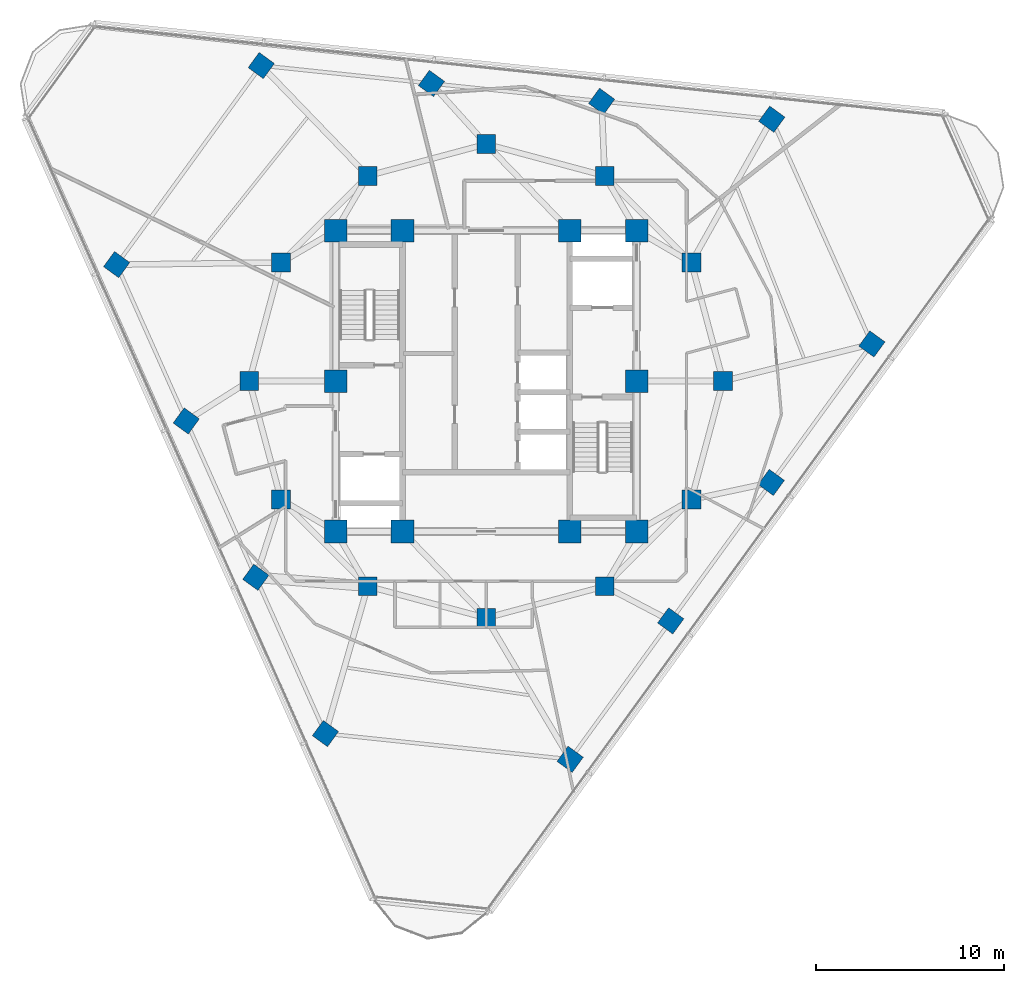
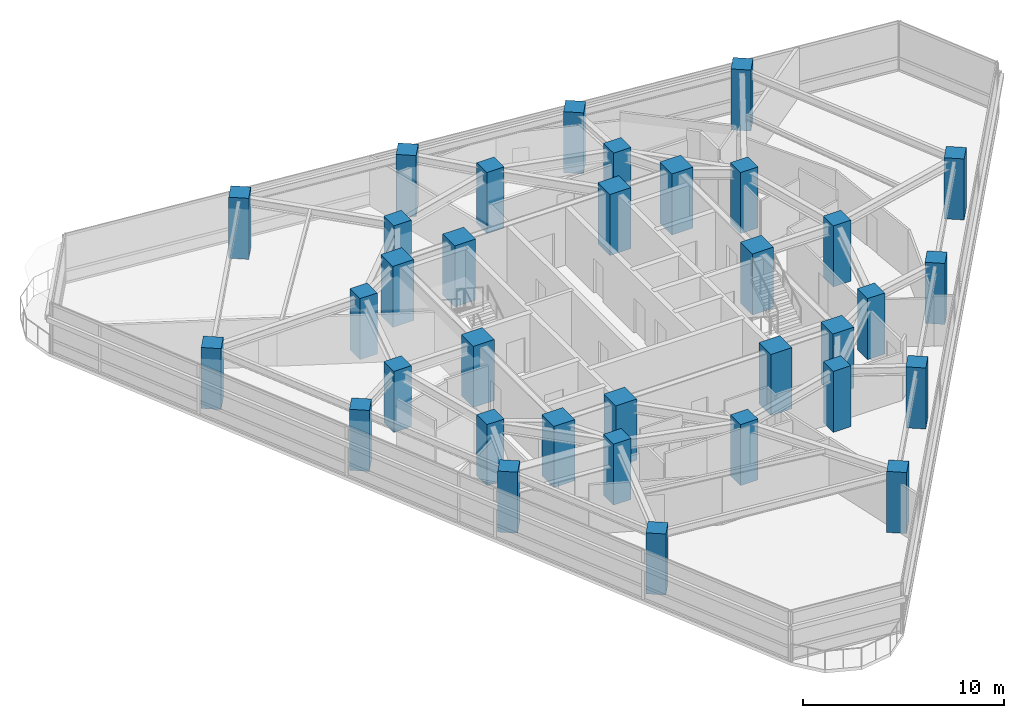
# One storey, part 1 of 14: 34 columns.
"""IFC4 building model written with IfcOpenShell, lengths in metres."""

from ifc_helpers import new_model, si_unit, direction, frame, origin, origin_2d, place, context, subcontext, project, spatial, rectangle, extrude, material, material_profile, profile_set, type_object, element, save


model = new_model("IFC4")

# Units and contexts
model_context = context("Model", 3, precision=1e-05, world=origin(), true_north=direction((0.0, 1.0)))
body_context = subcontext(model_context, "Body", "Model", "MODEL_VIEW")
ifc_project = project(units=[si_unit("LENGTHUNIT", "METRE"), si_unit("AREAUNIT", "SQUARE_METRE"), si_unit("VOLUMEUNIT", "CUBIC_METRE"), si_unit("PLANEANGLEUNIT", "RADIAN"), si_unit("MASSUNIT", "GRAM", prefix="KILO")], contexts=[model_context])

# Site, building, storey
site_placement = place(None, origin())
site = spatial("IfcSite", under=ifc_project, at=site_placement, CompositionType="ELEMENT")
building_placement = place(site_placement, origin())
building = spatial("IfcBuilding", under=site, at=building_placement, Name="Terralouvre Media Tower", CompositionType="ELEMENT")
storey_placement = place(building_placement, frame((0.0, 0.0, 222.60009765625)))
storey = spatial("IfcBuildingStorey", under=building, at=storey_placement, Name="L57", CompositionType="ELEMENT", Elevation=222.60009765625)

# Columns
ifc_material_1 = material(Name="Concrete C50/60", Category="concrete")
ifc_material_profile_1 = material_profile(ifc_material_1, rectangle(XDim=1.0, YDim=1.0, at=origin_2d()), Name="RC 1000x1000")
ifc_profile_set_1 = profile_set([ifc_material_profile_1], Name="Concrete C50/60")
column_type_1 = type_object("IfcColumnType", Name="Structural Column C-RC1000 (RC 1000x1000)", PredefinedType="COLUMN", material=ifc_profile_set_1)
for number, where, z_axis, x_axis, name in (
    (1, (12.60009765625, 0.0, 0.0), (0.0, 0.0, 1.0), (1.0, 0.0, 0.0), "L57 Mega-Frame Column MC01"),
    (2, (10.911865234375, 6.300048828125, 0.0), (0.0, 0.0, 1.0), (1.0, 0.0, 0.0), "L57 Mega-Frame Column MC02"),
    (3, (6.300048828125, 10.911865234375, 0.0), (0.0, 0.0, 1.0), (1.0, 0.0, 0.0), "L57 Mega-Frame Column MC03"),
    (4, (0.0, 12.60009765625, 0.0), (0.0, 0.0, 1.0), (1.0, 0.0, 0.0), "L57 Mega-Frame Column MC04"),
    (5, (-6.300048828125, 10.911865234375, 0.0), (0.0, 0.0, 1.0), (1.0, 0.0, 0.0), "L57 Mega-Frame Column MC05"),
    (6, (-10.911865234375, 6.300048828125, 0.0), (0.0, 0.0, 1.0), (1.0, 0.0, 0.0), "L57 Mega-Frame Column MC06"),
    (7, (-12.60009765625, 0.0, 0.0), (0.0, 0.0, 1.0), (1.0, 0.0, 0.0), "L57 Mega-Frame Column MC07"),
    (8, (-10.911865234375, -6.300048828125, 0.0), (0.0, 0.0, 1.0), (1.0, 0.0, 0.0), "L57 Mega-Frame Column MC08"),
    (9, (-6.300048828125, -10.911865234375, 0.0), (0.0, 0.0, 1.0), (1.0, 0.0, 0.0), "L57 Mega-Frame Column MC09"),
    (10, (0.0, -12.60009765625, 0.0), (0.0, 0.0, 1.0), (1.0, 0.0, 0.0), "L57 Mega-Frame Column MC10"),
    (11, (6.300048828125, -10.911865234375, 0.0), (0.0, 0.0, 1.0), (1.0, 0.0, 0.0), "L57 Mega-Frame Column MC11"),
    (12, (10.911865234375, -6.300048828125, 0.0), (0.0, 0.0, 1.0), (1.0, 0.0, 0.0), "L57 Mega-Frame Column MC12"),
    (13, (4.463623046875, -20.115478515625, 0.0), (0.0, 0.0, 1.0), (0.587785252292, 0.809016994375, 0.0), "L57 Perimeter Mega-Column PC11"),
    (14, (9.8125, -12.75341796875, 0.0), (0.0, 0.0, 1.0), (0.587785252292, 0.809016994375, 0.0), "L57 Perimeter Mega-Column PC12"),
    (15, (15.161376953125, -5.391357421875, 0.0), (0.0, 0.0, 1.0), (0.587785252292, 0.809016994375, 0.0), "L57 Perimeter Mega-Column PC13"),
    (16, (20.51025390625, 1.970703125, 0.0), (0.0, 0.0, 1.0), (0.587785252292, 0.809016994375, 0.0), "L57 Perimeter Mega-Column PC14"),
    (17, (15.1884765625, 13.92333984375, 0.0), (0.0, 0.0, 1.0), (0.587785252292, 0.809016994375, 0.0), "L57 Perimeter Mega-Column PC21"),
    (18, (6.138427734375, 14.87451171875, 0.0), (0.0, 0.0, 1.0), (0.587785252292, 0.809016994375, 0.0), "L57 Perimeter Mega-Column PC22"),
    (19, (-2.91162109375, 15.82568359375, 0.0), (0.0, 0.0, 1.0), (0.587785252292, 0.809016994375, 0.0), "L57 Perimeter Mega-Column PC23"),
    (20, (-11.9619140625, 16.77685546875, 0.0), (0.0, 0.0, 1.0), (0.587785252292, 0.809016994375, 0.0), "L57 Perimeter Mega-Column PC24"),
    (21, (-19.65234375, 6.192138671875, 0.0), (0.0, 0.0, 1.0), (0.587785252292, 0.809016994375, 0.0), "L57 Perimeter Mega-Column PC31"),
    (22, (-15.950927734375, -2.121337890625, 0.0), (0.0, 0.0, 1.0), (0.587785252292, 0.809016994375, 0.0), "L57 Perimeter Mega-Column PC32"),
    (23, (-12.249755859375, -10.4345703125, 0.0), (0.0, 0.0, 1.0), (0.587785252292, 0.809016994375, 0.0), "L57 Perimeter Mega-Column PC33"),
    (24, (-8.54833984375, -18.747802734375, 0.0), (0.0, 0.0, 1.0), (0.587785252292, 0.809016994375, 0.0), "L57 Perimeter Mega-Column PC34"),
):
    element("IfcColumn", number, at=place(storey_placement, frame(where, z_axis=z_axis, x_axis=x_axis)), inside=storey, type_object=column_type_1, Name=name, PredefinedType="COLUMN", context=body_context, shape_type="SweptSolid", body=[
        extrude(rectangle(XDim=1.0, YDim=1.0, at=origin_2d()), origin(), (0.0, 0.0, 1.0), 3.699951171875),
    ])
ifc_material_2 = material(Name="Concrete C60/75", Category="concrete")
ifc_material_profile_2 = material_profile(ifc_material_2, rectangle(XDim=1.199951171875, YDim=1.199951171875, at=origin_2d()), Name="RC 1200x1200")
ifc_profile_set_2 = profile_set([ifc_material_profile_2], Name="Concrete C60/75")
column_type_2 = type_object("IfcColumnType", Name="Structural Column C-RC1200 (RC 1200x1200)", PredefinedType="COLUMN", material=ifc_profile_set_2)
for number, where, z_axis, x_axis, name in (
    (25, (-8.0, -8.0, 0.0), (0.0, 0.0, 1.0), (1.0, 0.0, 0.0), "L57 Core Pilaster Column CP1"),
    (26, (-4.449951171875, -8.0, 0.0), (0.0, 0.0, 1.0), (1.0, 0.0, 0.0), "L57 Core Pilaster Column CP2"),
    (27, (4.449951171875, -8.0, 0.0), (0.0, 0.0, 1.0), (1.0, 0.0, 0.0), "L57 Core Pilaster Column CP10"),
    (28, (8.0, -8.0, 0.0), (0.0, 0.0, 1.0), (1.0, 0.0, 0.0), "L57 Core Pilaster Column CP3"),
    (29, (8.0, 0.0, 0.0), (0.0, 0.0, 1.0), (1.0, 0.0, 0.0), "L57 Core Pilaster Column CP4"),
    (30, (8.0, 8.0, 0.0), (0.0, 0.0, 1.0), (1.0, 0.0, 0.0), "L57 Core Pilaster Column CP5"),
    (31, (4.449951171875, 8.0, 0.0), (0.0, 0.0, 1.0), (1.0, 0.0, 0.0), "L57 Core Pilaster Column CP9"),
    (32, (-4.449951171875, 8.0, 0.0), (0.0, 0.0, 1.0), (1.0, 0.0, 0.0), "L57 Core Pilaster Column CP6"),
    (33, (-8.0, 8.0, 0.0), (0.0, 0.0, 1.0), (1.0, 0.0, 0.0), "L57 Core Pilaster Column CP7"),
    (34, (-8.0, 0.0, 0.0), (0.0, 0.0, 1.0), (1.0, 0.0, 0.0), "L57 Core Pilaster Column CP8"),
):
    element("IfcColumn", number, at=place(storey_placement, frame(where, z_axis=z_axis, x_axis=x_axis)), inside=storey, type_object=column_type_2, Name=name, PredefinedType="COLUMN", context=body_context, shape_type="SweptSolid", body=[
        extrude(rectangle(XDim=1.199951171875, YDim=1.199951171875, at=origin_2d()), origin(), (0.0, 0.0, 1.0), 3.699951171875),
    ])

save(model, "model.ifc")
